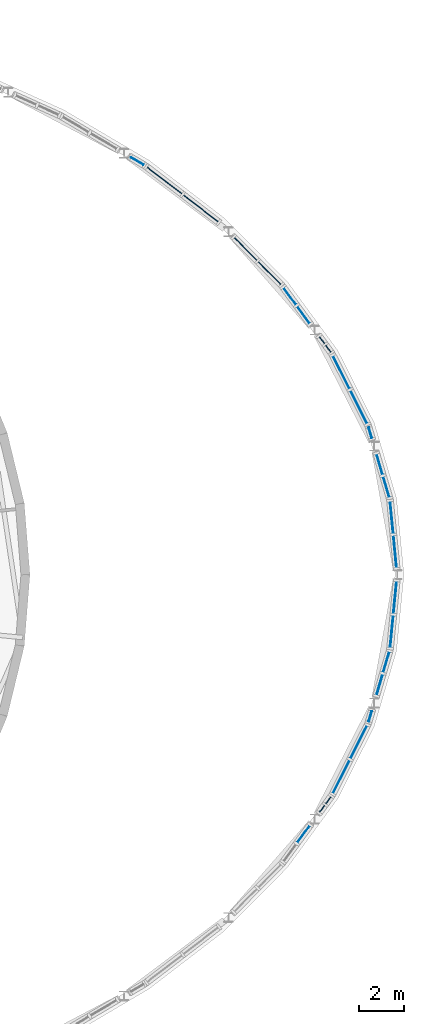
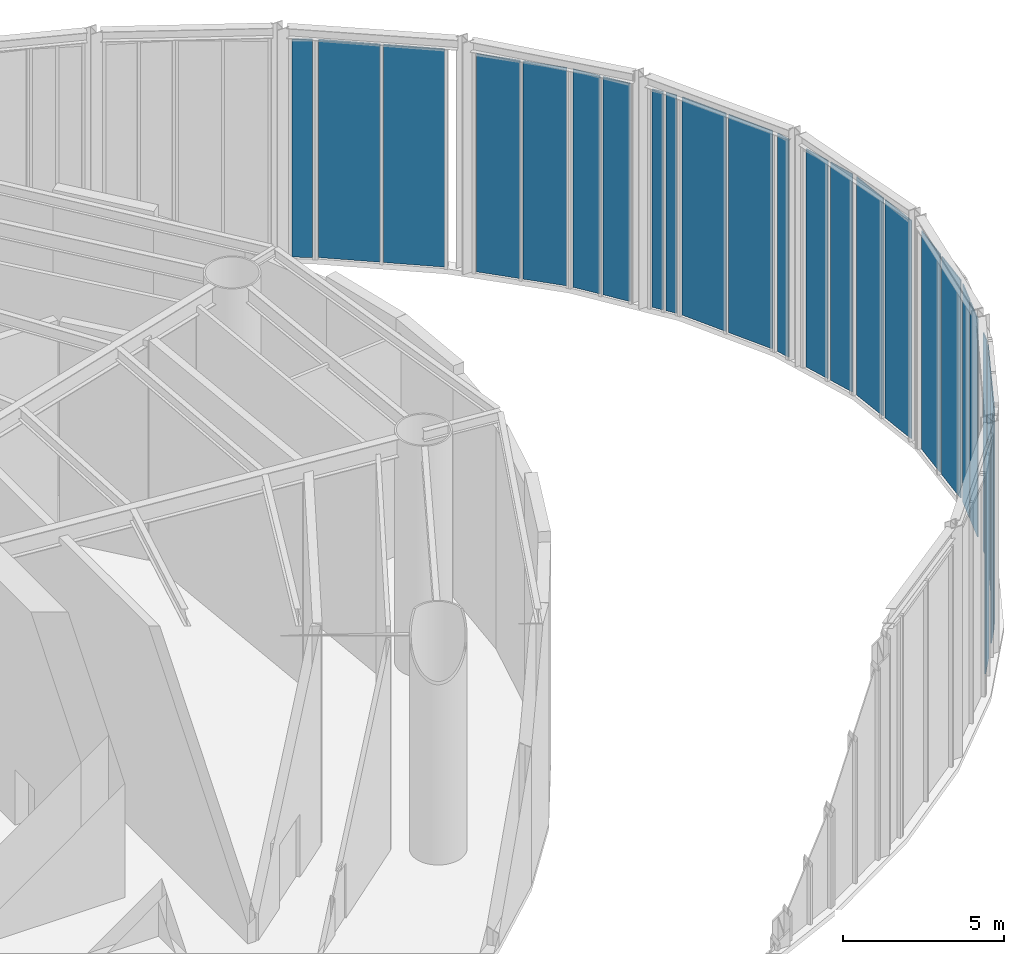
# One storey, part 13 of 19: 26 plates, 15 elements without a shape of their own.
"""IFC4 building model written with IfcOpenShell, lengths in metres."""

from ifc_helpers import new_model, si_unit, direction, frame, origin, origin_2d, place, context, subcontext, project, spatial, rectangle, extrude, material, layer, layer_set, type_object, element, aggregate, save


model = new_model("IFC4")

# Units and contexts
model_context = context("Model", 3, precision=1e-05, world=origin(), true_north=direction((0.0, 1.0)))
body_context = subcontext(model_context, "Body", "Model", "MODEL_VIEW")
ifc_project = project(units=[si_unit("LENGTHUNIT", "METRE"), si_unit("AREAUNIT", "SQUARE_METRE"), si_unit("VOLUMEUNIT", "CUBIC_METRE"), si_unit("PLANEANGLEUNIT", "RADIAN"), si_unit("MASSUNIT", "GRAM", prefix="KILO")], contexts=[model_context])

# Site, building, storey
site_placement = place(None, origin())
site = spatial("IfcSite", under=ifc_project, at=site_placement, CompositionType="ELEMENT")
building_placement = place(site_placement, origin())
building = spatial("IfcBuilding", under=site, at=building_placement, Name="Vermilion Reach Broadcast Tower", CompositionType="ELEMENT")
storey_placement = place(building_placement, frame((0.0, 0.0, 17.0)))
storey = spatial("IfcBuildingStorey", under=building, at=storey_placement, Name="L02", CompositionType="ELEMENT", Elevation=17.0)

# Curtain wall, plate
ifc_material_1 = material(Name="Low-e laminated clear glass in aluminium frame", Category="aluminium")
curtain_wall_type = type_object("IfcCurtainWallType", Name="Atrium outer wall curtain wall", PredefinedType="NOTDEFINED", material=ifc_material_1)
placement = place(storey_placement, origin())
curtain_wall_1 = element("IfcCurtainWall", 1, at=placement, inside=storey, type_object=curtain_wall_type, Name="Atrium wall L02 08-1", PredefinedType="NOTDEFINED")
ifc_material_2 = material(Name="Low-e laminated clear glass", Category="glass")
ifc_layer = layer(ifc_material_2, 0.035888671875)
ifc_layer_set = layer_set([ifc_layer], Name="Atrium outer wall glass panel")
plate_type = type_object("IfcPlateType", Name="Atrium outer wall glass panel", PredefinedType="CURTAIN_PANEL", material=ifc_layer_set)
plate_1_placement = place(storey_placement, frame((35.539794921875, -11.52294921875, 0.0), z_axis=(0.0, 0.0, 1.0), x_axis=(0.590759824697, 0.806847463604, 0.0)))
plate_1 = element("IfcPlate", 2, at=plate_1_placement, type_object=plate_type, Name="Atrium wall glass panel L02 08-1.2.1", PredefinedType="CURTAIN_PANEL", context=body_context, shape_type="SweptSolid", body=[
    extrude(rectangle(XDim=0.92578125, YDim=0.035888671875, at=origin_2d()), origin(), (0.0, 0.0, 1.0), 8.2900390625),
])
aggregate(curtain_wall_1, [plate_1])

# Curtain wall, plates
curtain_wall_2 = element("IfcCurtainWall", 3, at=placement, inside=storey, type_object=curtain_wall_type, Name="Atrium wall L02 08-2", PredefinedType="NOTDEFINED")
plate_2_placement = place(storey_placement, frame((36.36328125, -10.39794921875, 0.0), z_axis=(0.0, 0.0, 1.0), x_axis=(0.590759824697, 0.806847463604, 0.0)))
plate_2 = element("IfcPlate", 4, at=plate_2_placement, type_object=plate_type, Name="Atrium wall glass panel L02 08-2.1.1", PredefinedType="CURTAIN_PANEL", context=body_context, shape_type="SweptSolid", body=[
    extrude(rectangle(XDim=0.36669921875, YDim=0.035888671875, at=origin_2d()), origin(), (0.0, 0.0, 1.0), 8.2900390625),
])
plate_3_placement = place(storey_placement, frame((36.63916015625, -10.021240234375, 0.0), z_axis=(0.0, 0.0, 1.0), x_axis=(0.590759824697, 0.806847463604, 0.0)))
plate_3 = element("IfcPlate", 5, at=plate_3_placement, type_object=plate_type, Name="Atrium wall glass panel L02 08-2.2.1", PredefinedType="CURTAIN_PANEL", context=body_context, shape_type="SweptSolid", body=[
    extrude(rectangle(XDim=0.36669921875, YDim=0.035888671875, at=origin_2d()), origin(), (0.0, 0.0, 1.0), 8.2900390625),
])
aggregate(curtain_wall_2, [plate_2, plate_3])

curtain_wall_3 = element("IfcCurtainWall", 6, at=placement, inside=storey, type_object=curtain_wall_type, Name="Atrium wall L02 09", PredefinedType="NOTDEFINED")
plate_4_placement = place(storey_placement, frame((37.2177734375, -8.976806640625, 0.0), z_axis=(0.0, 0.0, 1.0), x_axis=(0.450071784356, 0.892992378986, 0.0)))
plate_4 = element("IfcPlate", 7, at=plate_4_placement, type_object=plate_type, Name="Atrium wall glass panel L02 09.1.1", PredefinedType="CURTAIN_PANEL", context=body_context, shape_type="SweptSolid", body=[
    extrude(rectangle(XDim=1.627197265625, YDim=0.035888671875, at=origin_2d()), origin(), (0.0, 0.0, 1.0), 8.2900390625),
])
plate_5_placement = place(storey_placement, frame((37.9951171875, -7.434326171875, 0.0), z_axis=(0.0, 0.0, 1.0), x_axis=(0.450071784356, 0.892992378986, 0.0)))
plate_5 = element("IfcPlate", 8, at=plate_5_placement, type_object=plate_type, Name="Atrium wall glass panel L02 09.2.1", PredefinedType="CURTAIN_PANEL", context=body_context, shape_type="SweptSolid", body=[
    extrude(rectangle(XDim=1.627197265625, YDim=0.035888671875, at=origin_2d()), origin(), (0.0, 0.0, 1.0), 8.2900390625),
])
aggregate(curtain_wall_3, [plate_4, plate_5])

# Curtain wall, plate
curtain_wall_4 = element("IfcCurtainWall", 9, at=placement, inside=storey, type_object=curtain_wall_type, Name="Atrium wall L02 10-1", PredefinedType="NOTDEFINED")
plate_6_placement = place(storey_placement, frame((38.5029296875, -6.291259765625, 0.0), z_axis=(0.0, 0.0, 1.0), x_axis=(0.283245086397, 0.959047559317, 0.0)))
plate_6 = element("IfcPlate", 10, at=plate_6_placement, type_object=plate_type, Name="Atrium wall glass panel L02 10-1.1.1", PredefinedType="CURTAIN_PANEL", context=body_context, shape_type="SweptSolid", body=[
    extrude(rectangle(XDim=0.48193359375, YDim=0.035888671875, at=origin_2d()), origin(), (0.0, 0.0, 1.0), 8.2900390625),
])
aggregate(curtain_wall_4, [plate_6])

# Curtain wall, plates
curtain_wall_5 = element("IfcCurtainWall", 11, at=placement, inside=storey, type_object=curtain_wall_type, Name="Atrium wall L02 10-2", PredefinedType="NOTDEFINED")
plate_7_placement = place(storey_placement, frame((38.917236328125, -4.88916015625, 0.0), z_axis=(0.0, 0.0, 1.0), x_axis=(0.283245086397, 0.959047559317, 0.0)))
plate_7 = element("IfcPlate", 12, at=plate_7_placement, type_object=plate_type, Name="Atrium wall glass panel L02 10-2.1.1", PredefinedType="CURTAIN_PANEL", context=body_context, shape_type="SweptSolid", body=[
    extrude(rectangle(XDim=0.9462890625, YDim=0.035888671875, at=origin_2d()), origin(), (0.0, 0.0, 1.0), 8.2900390625),
])
plate_8_placement = place(storey_placement, frame((39.21337890625, -3.8857421875, 0.0), z_axis=(0.0, 0.0, 1.0), x_axis=(0.283245086397, 0.959047559317, 0.0)))
plate_8 = element("IfcPlate", 13, at=plate_8_placement, type_object=plate_type, Name="Atrium wall glass panel L02 10-2.2.1", PredefinedType="CURTAIN_PANEL", context=body_context, shape_type="SweptSolid", body=[
    extrude(rectangle(XDim=0.9462890625, YDim=0.035888671875, at=origin_2d()), origin(), (0.0, 0.0, 1.0), 8.2900390625),
])
aggregate(curtain_wall_5, [plate_7, plate_8])

curtain_wall_6 = element("IfcCurtainWall", 14, at=placement, inside=storey, type_object=curtain_wall_type, Name="Atrium wall L02 11", PredefinedType="NOTDEFINED")
plate_9_placement = place(storey_placement, frame((39.4541015625, -2.530517578125, 0.0), z_axis=(0.0, 0.0, 1.0), x_axis=(0.096860665643, 0.995297951094, 0.0)))
plate_9 = element("IfcPlate", 15, at=plate_9_placement, type_object=plate_type, Name="Atrium wall glass panel L02 11.1.1", PredefinedType="CURTAIN_PANEL", context=body_context, shape_type="SweptSolid", body=[
    extrude(rectangle(XDim=1.4189453125, YDim=0.035888671875, at=origin_2d()), origin(), (0.0, 0.0, 1.0), 8.2900390625),
])
plate_10_placement = place(storey_placement, frame((39.601318359375, -1.0185546875, 0.0), z_axis=(0.0, 0.0, 1.0), x_axis=(0.096860665643, 0.995297951094, 0.0)))
plate_10 = element("IfcPlate", 16, at=plate_10_placement, type_object=plate_type, Name="Atrium wall glass panel L02 11.2.1", PredefinedType="CURTAIN_PANEL", context=body_context, shape_type="SweptSolid", body=[
    extrude(rectangle(XDim=1.4189453125, YDim=0.035888671875, at=origin_2d()), origin(), (0.0, 0.0, 1.0), 8.2900390625),
])
aggregate(curtain_wall_6, [plate_9, plate_10])

curtain_wall_7 = element("IfcCurtainWall", 17, at=placement, inside=storey, type_object=curtain_wall_type, Name="Atrium wall L02 12", PredefinedType="NOTDEFINED")
plate_11_placement = place(storey_placement, frame((39.601318359375, 1.0185546875, 0.0), z_axis=(0.0, 0.0, 1.0), x_axis=(-0.096860665643, 0.995297951094, 0.0)))
plate_11 = element("IfcPlate", 18, at=plate_11_placement, type_object=plate_type, Name="Atrium wall glass panel L02 12.1.1", PredefinedType="CURTAIN_PANEL", context=body_context, shape_type="SweptSolid", body=[
    extrude(rectangle(XDim=1.4189453125, YDim=0.035888671875, at=origin_2d()), origin(), (0.0, 0.0, 1.0), 8.2900390625),
])
plate_12_placement = place(storey_placement, frame((39.4541015625, 2.530517578125, 0.0), z_axis=(0.0, 0.0, 1.0), x_axis=(-0.096860665643, 0.995297951094, 0.0)))
plate_12 = element("IfcPlate", 19, at=plate_12_placement, type_object=plate_type, Name="Atrium wall glass panel L02 12.2.1", PredefinedType="CURTAIN_PANEL", context=body_context, shape_type="SweptSolid", body=[
    extrude(rectangle(XDim=1.4189453125, YDim=0.035888671875, at=origin_2d()), origin(), (0.0, 0.0, 1.0), 8.2900390625),
])
aggregate(curtain_wall_7, [plate_11, plate_12])

curtain_wall_8 = element("IfcCurtainWall", 20, at=placement, inside=storey, type_object=curtain_wall_type, Name="Atrium wall L02 13-1", PredefinedType="NOTDEFINED")
plate_13_placement = place(storey_placement, frame((39.21337890625, 3.8857421875, 0.0), z_axis=(0.0, 0.0, 1.0), x_axis=(-0.283245086397, 0.959047559317, 0.0)))
plate_13 = element("IfcPlate", 21, at=plate_13_placement, type_object=plate_type, Name="Atrium wall glass panel L02 13-1.1.1", PredefinedType="CURTAIN_PANEL", context=body_context, shape_type="SweptSolid", body=[
    extrude(rectangle(XDim=0.9462890625, YDim=0.035888671875, at=origin_2d()), origin(), (0.0, 0.0, 1.0), 8.2900390625),
])
plate_14_placement = place(storey_placement, frame((38.917236328125, 4.88916015625, 0.0), z_axis=(0.0, 0.0, 1.0), x_axis=(-0.283245086397, 0.959047559317, 0.0)))
plate_14 = element("IfcPlate", 22, at=plate_14_placement, type_object=plate_type, Name="Atrium wall glass panel L02 13-1.2.1", PredefinedType="CURTAIN_PANEL", context=body_context, shape_type="SweptSolid", body=[
    extrude(rectangle(XDim=0.9462890625, YDim=0.035888671875, at=origin_2d()), origin(), (0.0, 0.0, 1.0), 8.2900390625),
])
aggregate(curtain_wall_8, [plate_13, plate_14])

# Curtain wall, plate
curtain_wall_9 = element("IfcCurtainWall", 23, at=placement, inside=storey, type_object=curtain_wall_type, Name="Atrium wall L02 13-2", PredefinedType="NOTDEFINED")
plate_15_placement = place(storey_placement, frame((38.5029296875, 6.291259765625, 0.0), z_axis=(0.0, 0.0, 1.0), x_axis=(-0.283245086397, 0.959047559317, 0.0)))
plate_15 = element("IfcPlate", 24, at=plate_15_placement, type_object=plate_type, Name="Atrium wall glass panel L02 13-2.1.1", PredefinedType="CURTAIN_PANEL", context=body_context, shape_type="SweptSolid", body=[
    extrude(rectangle(XDim=0.48193359375, YDim=0.035888671875, at=origin_2d()), origin(), (0.0, 0.0, 1.0), 8.2900390625),
])
aggregate(curtain_wall_9, [plate_15])

# Curtain wall, plates
curtain_wall_10 = element("IfcCurtainWall", 25, at=placement, inside=storey, type_object=curtain_wall_type, Name="Atrium wall L02 14", PredefinedType="NOTDEFINED")
plate_16_placement = place(storey_placement, frame((37.9951171875, 7.434326171875, 0.0), z_axis=(0.0, 0.0, 1.0), x_axis=(-0.450071784356, 0.892992378986, 0.0)))
plate_16 = element("IfcPlate", 26, at=plate_16_placement, type_object=plate_type, Name="Atrium wall glass panel L02 14.1.1", PredefinedType="CURTAIN_PANEL", context=body_context, shape_type="SweptSolid", body=[
    extrude(rectangle(XDim=1.627197265625, YDim=0.035888671875, at=origin_2d()), origin(), (0.0, 0.0, 1.0), 8.2900390625),
])
plate_17_placement = place(storey_placement, frame((37.2177734375, 8.976806640625, 0.0), z_axis=(0.0, 0.0, 1.0), x_axis=(-0.450071784356, 0.892992378986, 0.0)))
plate_17 = element("IfcPlate", 27, at=plate_17_placement, type_object=plate_type, Name="Atrium wall glass panel L02 14.2.1", PredefinedType="CURTAIN_PANEL", context=body_context, shape_type="SweptSolid", body=[
    extrude(rectangle(XDim=1.627197265625, YDim=0.035888671875, at=origin_2d()), origin(), (0.0, 0.0, 1.0), 8.2900390625),
])
aggregate(curtain_wall_10, [plate_16, plate_17])

curtain_wall_11 = element("IfcCurtainWall", 28, at=placement, inside=storey, type_object=curtain_wall_type, Name="Atrium wall L02 15-1", PredefinedType="NOTDEFINED")
plate_18_placement = place(storey_placement, frame((36.63916015625, 10.021240234375, 0.0), z_axis=(0.0, 0.0, 1.0), x_axis=(-0.590759824697, 0.806847463604, 0.0)))
plate_18 = element("IfcPlate", 29, at=plate_18_placement, type_object=plate_type, Name="Atrium wall glass panel L02 15-1.1.1", PredefinedType="CURTAIN_PANEL", context=body_context, shape_type="SweptSolid", body=[
    extrude(rectangle(XDim=0.36669921875, YDim=0.035888671875, at=origin_2d()), origin(), (0.0, 0.0, 1.0), 8.2900390625),
])
plate_19_placement = place(storey_placement, frame((36.36328125, 10.39794921875, 0.0), z_axis=(0.0, 0.0, 1.0), x_axis=(-0.590759824697, 0.806847463604, 0.0)))
plate_19 = element("IfcPlate", 30, at=plate_19_placement, type_object=plate_type, Name="Atrium wall glass panel L02 15-1.2.1", PredefinedType="CURTAIN_PANEL", context=body_context, shape_type="SweptSolid", body=[
    extrude(rectangle(XDim=0.36669921875, YDim=0.035888671875, at=origin_2d()), origin(), (0.0, 0.0, 1.0), 8.2900390625),
])
aggregate(curtain_wall_11, [plate_18, plate_19])

curtain_wall_12 = element("IfcCurtainWall", 31, at=placement, inside=storey, type_object=curtain_wall_type, Name="Atrium wall L02 15-2", PredefinedType="NOTDEFINED")
plate_20_placement = place(storey_placement, frame((35.539794921875, 11.52294921875, 0.0), z_axis=(0.0, 0.0, 1.0), x_axis=(-0.590759824697, 0.806847463604, 0.0)))
plate_20 = element("IfcPlate", 32, at=plate_20_placement, type_object=plate_type, Name="Atrium wall glass panel L02 15-2.1.1", PredefinedType="CURTAIN_PANEL", context=body_context, shape_type="SweptSolid", body=[
    extrude(rectangle(XDim=0.92578125, YDim=0.035888671875, at=origin_2d()), origin(), (0.0, 0.0, 1.0), 8.2900390625),
])
plate_21_placement = place(storey_placement, frame((34.93359375, 12.3505859375, 0.0), z_axis=(0.0, 0.0, 1.0), x_axis=(-0.590759824697, 0.806847463604, 0.0)))
plate_21 = element("IfcPlate", 33, at=plate_21_placement, type_object=plate_type, Name="Atrium wall glass panel L02 15-2.2.1", PredefinedType="CURTAIN_PANEL", context=body_context, shape_type="SweptSolid", body=[
    extrude(rectangle(XDim=0.92578125, YDim=0.035888671875, at=origin_2d()), origin(), (0.0, 0.0, 1.0), 8.2900390625),
])
aggregate(curtain_wall_12, [plate_20, plate_21])

curtain_wall_13 = element("IfcCurtainWall", 34, at=placement, inside=storey, type_object=curtain_wall_type, Name="Atrium wall L02 16", PredefinedType="NOTDEFINED")
plate_22_placement = place(storey_placement, frame((34.034423828125, 13.3759765625, 0.0), z_axis=(0.0, 0.0, 1.0), x_axis=(-0.704276337997, 0.709925939614, 0.0)))
plate_22 = element("IfcPlate", 35, at=plate_22_placement, type_object=plate_type, Name="Atrium wall glass panel L02 16.1.1", PredefinedType="CURTAIN_PANEL", context=body_context, shape_type="SweptSolid", body=[
    extrude(rectangle(XDim=1.4091796875, YDim=0.035888671875, at=origin_2d()), origin(), (0.0, 0.0, 1.0), 8.2900390625),
])
plate_23_placement = place(storey_placement, frame((32.971435546875, 14.447509765625, 0.0), z_axis=(0.0, 0.0, 1.0), x_axis=(-0.704276337997, 0.709925939614, 0.0)))
plate_23 = element("IfcPlate", 36, at=plate_23_placement, type_object=plate_type, Name="Atrium wall glass panel L02 16.2.1", PredefinedType="CURTAIN_PANEL", context=body_context, shape_type="SweptSolid", body=[
    extrude(rectangle(XDim=1.4091796875, YDim=0.035888671875, at=origin_2d()), origin(), (0.0, 0.0, 1.0), 8.2900390625),
])
aggregate(curtain_wall_13, [plate_22, plate_23])

curtain_wall_14 = element("IfcCurtainWall", 37, at=placement, inside=storey, type_object=curtain_wall_type, Name="Atrium wall L02 17", PredefinedType="NOTDEFINED")
plate_24_placement = place(storey_placement, frame((30.981201171875, 16.2509765625, 0.0), z_axis=(0.0, 0.0, 1.0), x_axis=(-0.793082736826, 0.609113924113, 0.0)))
plate_24 = element("IfcPlate", 38, at=plate_24_placement, type_object=plate_type, Name="Atrium wall glass panel L02 17.1.1", PredefinedType="CURTAIN_PANEL", context=body_context, shape_type="SweptSolid", body=[
    extrude(rectangle(XDim=1.9296875, YDim=0.035888671875, at=origin_2d()), origin(), (0.0, 0.0, 1.0), 8.2900390625),
])
plate_25_placement = place(storey_placement, frame((29.37158203125, 17.4873046875, 0.0), z_axis=(0.0, 0.0, 1.0), x_axis=(-0.793082736826, 0.609113924113, 0.0)))
plate_25 = element("IfcPlate", 39, at=plate_25_placement, type_object=plate_type, Name="Atrium wall glass panel L02 17.2.1", PredefinedType="CURTAIN_PANEL", context=body_context, shape_type="SweptSolid", body=[
    extrude(rectangle(XDim=1.9296875, YDim=0.035888671875, at=origin_2d()), origin(), (0.0, 0.0, 1.0), 8.2900390625),
])
aggregate(curtain_wall_14, [plate_24, plate_25])

# Curtain wall, plate
curtain_wall_15 = element("IfcCurtainWall", 40, at=placement, inside=storey, type_object=curtain_wall_type, Name="Atrium wall L02 18-1", PredefinedType="NOTDEFINED")
plate_26_placement = place(storey_placement, frame((28.166748046875, 18.348876953125, 0.0), z_axis=(0.0, 0.0, 1.0), x_axis=(-0.861009057017, 0.508589622127, 0.0)))
plate_26 = element("IfcPlate", 41, at=plate_26_placement, type_object=plate_type, Name="Atrium wall glass panel L02 18-1.1.1", PredefinedType="CURTAIN_PANEL", context=body_context, shape_type="SweptSolid", body=[
    extrude(rectangle(XDim=0.636474609375, YDim=0.035888671875, at=origin_2d()), origin(), (0.0, 0.0, 1.0), 8.2900390625),
])
aggregate(curtain_wall_15, [plate_26])

save(model, "model.ifc")
